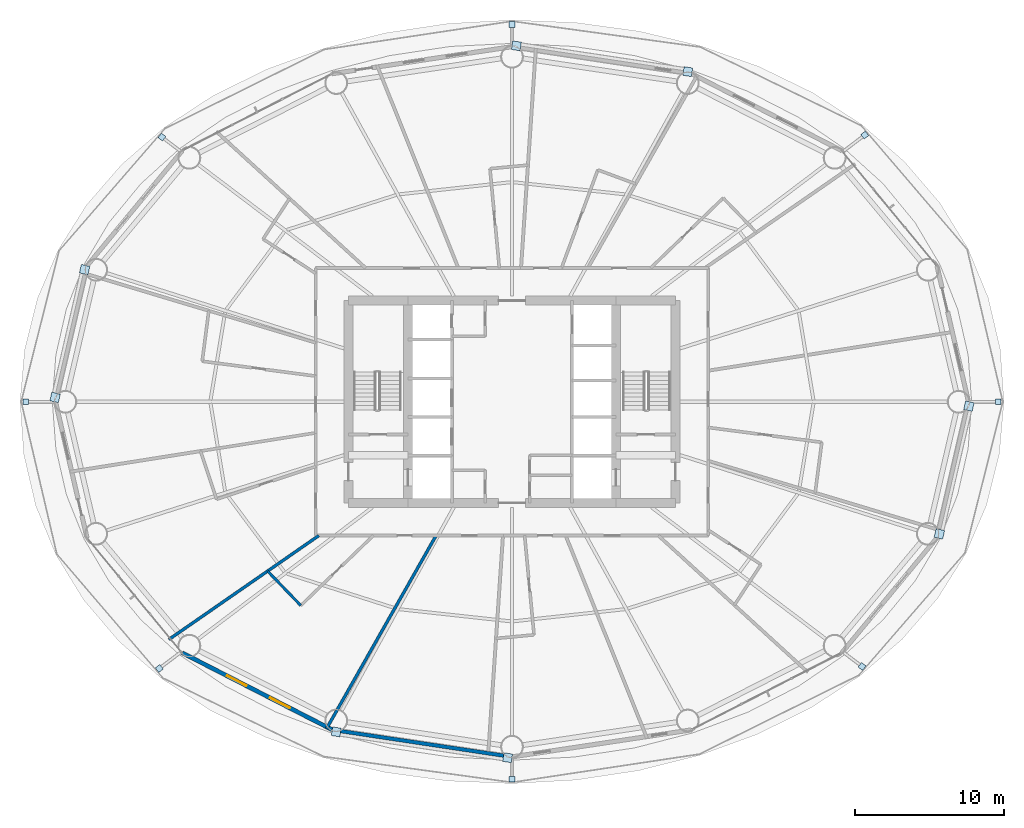
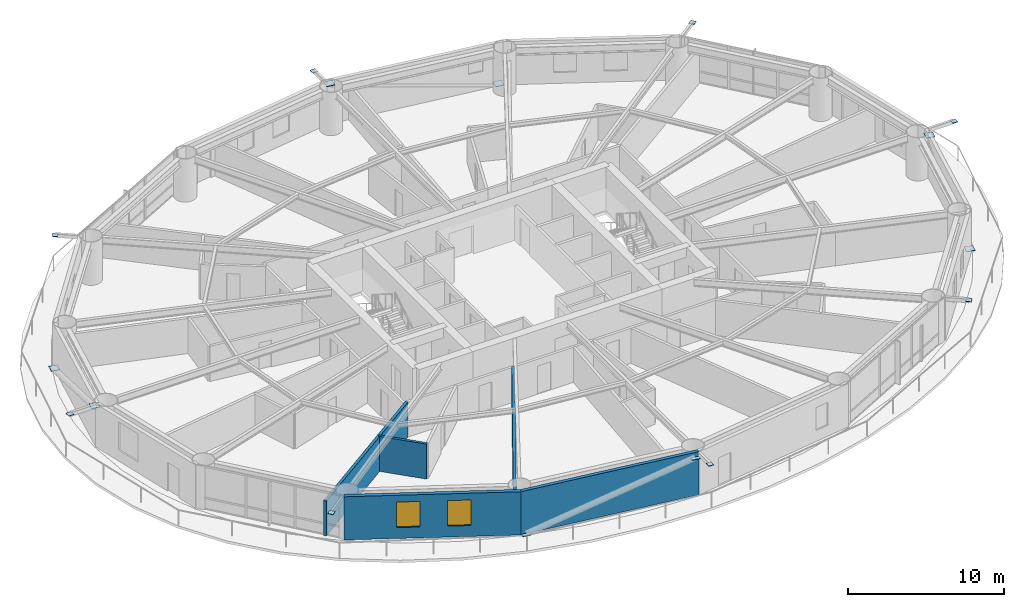
# One storey, part 21 of 28: 16 plates, 5 walls, 2 windows, 2 openings.
"""IFC4 building model written with IfcOpenShell, lengths in metres."""

from ifc_helpers import new_model, si_unit, direction, frame, frame_2d, origin, origin_2d, place, context, subcontext, project, spatial, rectangle, extrude, material, layer, layer_set, type_object, element, fill, save


model = new_model("IFC4")

# Units and contexts
model_context = context("Model", 3, precision=1e-05, world=origin(), true_north=direction((0.0, 1.0)))
body_context = subcontext(model_context, "Body", "Model", "MODEL_VIEW")
ifc_project = project(units=[si_unit("LENGTHUNIT", "METRE"), si_unit("AREAUNIT", "SQUARE_METRE"), si_unit("VOLUMEUNIT", "CUBIC_METRE"), si_unit("PLANEANGLEUNIT", "RADIAN"), si_unit("MASSUNIT", "GRAM", prefix="KILO")], contexts=[model_context])

# Site, building, storey
site_placement = place(None, origin())
site = spatial("IfcSite", under=ifc_project, at=site_placement, CompositionType="ELEMENT")
building_placement = place(site_placement, origin())
building = spatial("IfcBuilding", under=site, at=building_placement, Name="Sarneth Arch Tower", CompositionType="ELEMENT")
storey_placement = place(building_placement, frame((0.0, 0.0, 67.800048828125)))
storey = spatial("IfcBuildingStorey", under=building, at=storey_placement, Name="L16", CompositionType="ELEMENT", Elevation=67.800048828125)

# Plates
ifc_material_1 = material(Name="Steel S355", Category="steel")
ifc_layer_1 = layer(ifc_material_1, 0.035888671875)
ifc_layer_set_1 = layer_set([ifc_layer_1], Name="Steel S355")
plate_type = type_object("IfcPlateType", Name="PLT-GUSSET-30", PredefinedType="SHEET", material=ifc_layer_set_1)
for number, where, z_axis, x_axis, name in (
    (1, (80.7109375, 42.0, 3.2021484375), (0.0, 0.0, 1.0), (1.0, 0.0, 0.0), "Steel end cap plate GP-1"),
    (2, (71.72021484375, 59.934814453125, 3.2021484375), (0.0, 0.0, 1.0), (0.797689196331, 0.603068773902, 0.0), "Steel end cap plate GP-1"),
):
    element("IfcPlate", number, at=place(storey_placement, frame(where, z_axis=z_axis, x_axis=x_axis)), inside=storey, type_object=plate_type, Name=name, PredefinedType="SHEET", context=body_context, shape_type="SweptSolid", body=[
        extrude(rectangle(XDim=0.3798828125, YDim=0.3798828125, at=origin_2d()), origin(), (0.0, 0.0, 1.0), 0.035888671875),
    ])
for number, where, z_axis, x_axis, name in (
    (3, (59.819580078125, 64.19921875, 0.001953125), (0.0, 0.0, 1.0), (-0.98883454203, 0.149017611339, 0.0), "Steel end cap plate GP-1"),
    (4, (48.296630859375, 65.935302734375, 2.98876953125), (0.0, 0.0, 1.0), (-0.98883454203, 0.149017611339, 0.0), "Steel end cap plate GP-1"),
):
    element("IfcPlate", number, at=place(storey_placement, frame(where, z_axis=z_axis, x_axis=x_axis)), inside=storey, type_object=plate_type, Name=name, PredefinedType="SHEET", context=body_context, shape_type="SweptSolid", body=[
        extrude(rectangle(XDim=0.587890625, YDim=0.587890625, at=origin_2d()), origin(), (0.0, 0.0, 1.0), 0.035888671875),
    ])
for number, where, z_axis, x_axis, name in (
    (5, (48.0, 67.373779296875, 3.2021484375), (0.0, 0.0, 1.0), (0.0, 1.0, 0.0), "Steel end cap plate GP-1"),
    (6, (24.458251953125, 59.800048828125, 3.2021484375), (0.0, 0.0, 1.0), (-0.797689196331, 0.603068773902, 0.0), "Steel end cap plate GP-1"),
):
    element("IfcPlate", number, at=place(storey_placement, frame(where, z_axis=z_axis, x_axis=x_axis)), inside=storey, type_object=plate_type, Name=name, PredefinedType="SHEET", context=body_context, shape_type="SweptSolid", body=[
        extrude(rectangle(XDim=0.3798828125, YDim=0.3798828125, at=origin_2d()), origin(), (0.0, 0.0, 1.0), 0.035888671875),
    ])
for number, where, z_axis, x_axis, name in (
    (7, (19.260986328125, 50.884521484375, 0.001953125), (0.0, 0.0, 1.0), (-0.225291159947, -0.974291482694, 0.0), "Steel end cap plate GP-1"),
    (8, (17.274658203125, 42.292236328125, 2.98876953125), (0.0, 0.0, 1.0), (-0.225291159947, -0.974291482694, 0.0), "Steel end cap plate GP-1"),
):
    element("IfcPlate", number, at=place(storey_placement, frame(where, z_axis=z_axis, x_axis=x_axis)), inside=storey, type_object=plate_type, Name=name, PredefinedType="SHEET", context=body_context, shape_type="SweptSolid", body=[
        extrude(rectangle(XDim=0.587890625, YDim=0.587890625, at=origin_2d()), origin(), (0.0, 0.0, 1.0), 0.035888671875),
    ])
for number, where, z_axis, x_axis, name in (
    (9, (15.2890625, 42.0, 3.2021484375), (0.0, 0.0, 1.0), (-1.0, 0.0, 0.0), "Steel end cap plate GP-1"),
    (10, (24.27978515625, 24.065185546875, 3.2021484375), (0.0, 0.0, 1.0), (-0.797689196331, -0.603068773902, 0.0), "Steel end cap plate GP-1"),
):
    element("IfcPlate", number, at=place(storey_placement, frame(where, z_axis=z_axis, x_axis=x_axis)), inside=storey, type_object=plate_type, Name=name, PredefinedType="SHEET", context=body_context, shape_type="SweptSolid", body=[
        extrude(rectangle(XDim=0.3798828125, YDim=0.3798828125, at=origin_2d()), origin(), (0.0, 0.0, 1.0), 0.035888671875),
    ])
for number, where, z_axis, x_axis, name in (
    (11, (36.180419921875, 19.80078125, 0.001953125), (0.0, 0.0, 1.0), (0.98883454203, -0.149017611339, 0.0), "Steel end cap plate GP-1"),
    (12, (47.703369140625, 18.064697265625, 2.98876953125), (0.0, 0.0, 1.0), (0.98883454203, -0.149017611339, 0.0), "Steel end cap plate GP-1"),
):
    element("IfcPlate", number, at=place(storey_placement, frame(where, z_axis=z_axis, x_axis=x_axis)), inside=storey, type_object=plate_type, Name=name, PredefinedType="SHEET", context=body_context, shape_type="SweptSolid", body=[
        extrude(rectangle(XDim=0.587890625, YDim=0.587890625, at=origin_2d()), origin(), (0.0, 0.0, 1.0), 0.035888671875),
    ])
for number, where, z_axis, x_axis, name in (
    (13, (48.0, 16.626220703125, 3.2021484375), (0.0, 0.0, 1.0), (0.0, -1.0, 0.0), "Steel end cap plate GP-1"),
    (14, (71.541748046875, 24.199951171875, 3.2021484375), (0.0, 0.0, 1.0), (0.797689196331, -0.603068773902, 0.0), "Steel end cap plate GP-1"),
):
    element("IfcPlate", number, at=place(storey_placement, frame(where, z_axis=z_axis, x_axis=x_axis)), inside=storey, type_object=plate_type, Name=name, PredefinedType="SHEET", context=body_context, shape_type="SweptSolid", body=[
        extrude(rectangle(XDim=0.3798828125, YDim=0.3798828125, at=origin_2d()), origin(), (0.0, 0.0, 1.0), 0.035888671875),
    ])
for number, where, z_axis, x_axis, name in (
    (15, (76.739013671875, 33.115478515625, 0.001953125), (0.0, 0.0, 1.0), (0.225291159947, 0.974291482694, 0.0), "Steel end cap plate GP-1"),
    (16, (78.725341796875, 41.707763671875, 2.98876953125), (0.0, 0.0, 1.0), (0.225291159947, 0.974291482694, 0.0), "Steel end cap plate GP-1"),
):
    element("IfcPlate", number, at=place(storey_placement, frame(where, z_axis=z_axis, x_axis=x_axis)), inside=storey, type_object=plate_type, Name=name, PredefinedType="SHEET", context=body_context, shape_type="SweptSolid", body=[
        extrude(rectangle(XDim=0.587890625, YDim=0.587890625, at=origin_2d()), origin(), (0.0, 0.0, 1.0), 0.035888671875),
    ])

# Wall
ifc_material_2 = material(Name="Extruded terracotta rainscreen on Concrete C40/50 backing", Category="masonry")
ifc_layer_2 = layer(ifc_material_2, 0.25)
ifc_layer_set_2 = layer_set([ifc_layer_2], Name="Extruded terracotta rainscreen on Concrete C40/50 backing")
wall_type_1 = type_object("IfcWallType", Name="WALL-EXT-SPAND-250", PredefinedType="SOLIDWALL", material=ifc_layer_set_2)
wall_1_placement = place(storey_placement, frame((35.922119140625, 19.937744140625, 0.0), z_axis=(0.0, 0.0, 1.0), x_axis=(0.988864835849, -0.148816452121, 0.0)))
element("IfcWall", 17, at=wall_1_placement, inside=storey, type_object=wall_type_1, Name="L16 Terracotta perimeter wall 12", PredefinedType="SOLIDWALL", context=body_context, shape_type="SweptSolid", body=[
    extrude(rectangle(XDim=12.2138671875, YDim=0.25, at=frame_2d((6.10693359375, 0.0))), origin(), (0.0, 0.0, 1.0), 3.3798828125),
])

# Wall, openings, windows
ifc_material_3 = material(Name="Extruded terracotta rainscreen on Concrete C40/50 backing", Category="masonry")
ifc_layer_3 = layer(ifc_material_3, 0.280029296875)
ifc_layer_set_3 = layer_set([ifc_layer_3], Name="Extruded terracotta rainscreen on Concrete C40/50 backing")
wall_type_2 = type_object("IfcWallType", Name="WALL-EXT-TERRA-280", PredefinedType="SOLIDWALL", material=ifc_layer_set_3)
wall_2_placement = place(storey_placement, frame((25.825927734375, 25.1142578125, 0.0), z_axis=(0.0, 0.0, 1.0), x_axis=(0.889853976658, -0.456245438581, 0.0)))
wall_2 = element("IfcWall", 18, at=wall_2_placement, inside=storey, type_object=wall_type_2, Name="L16 Terracotta perimeter wall 11", PredefinedType="SOLIDWALL", context=body_context, shape_type="SweptSolid", body=[
    extrude(rectangle(XDim=11.345947265625, YDim=0.280029296875, at=frame_2d((5.6728515625, 0.0))), origin(), (0.0, 0.0, 1.0), 3.3798828125),
])
opening_1_placement = place(wall_2_placement, frame((3.3671875, 0.0, 0.85009765625)))
opening_1 = element("IfcOpeningElement", 19, at=opening_1_placement, cuts=wall_2, Name="Opening W-06", PredefinedType="OPENING", context=body_context, shape_type="SweptSolid", body=[
    extrude(rectangle(XDim=1.5, YDim=2.0, at=frame_2d((0.75, 1.0))), frame((0.0, 0.14990234375, 0.0), z_axis=(0.0, -1.0, 0.0), x_axis=(1.0, 0.0, 0.0)), (0.0, 0.0, 1.0), 0.300048828125),
])
opening_2_placement = place(wall_2_placement, frame((6.62890625, 0.0, 0.85009765625)))
opening_2 = element("IfcOpeningElement", 20, at=opening_2_placement, cuts=wall_2, Name="Opening W-06", PredefinedType="OPENING", context=body_context, shape_type="SweptSolid", body=[
    extrude(rectangle(XDim=1.5, YDim=2.0, at=frame_2d((0.75, 1.0))), frame((0.0, 0.14990234375, 0.0), z_axis=(0.0, -1.0, 0.0), x_axis=(1.0, 0.0, 0.0)), (0.0, 0.0, 1.0), 0.300048828125),
])
ifc_material_4 = material(Name="Thermally broken Aluminium 6063-T6 and low-e laminated IGU", Category="aluminium")
window_type = type_object("IfcWindowType", Name="WIN-TWR-1500x2000", PartitioningType="SINGLE_PANEL", PredefinedType="WINDOW", material=ifc_material_4)
window_1_placement = place(opening_1_placement, origin())
window_1 = element("IfcWindow", 21, at=window_1_placement, inside=storey, type_object=window_type, Name="L16 Exterior window 11A", OverallHeight=2.0, OverallWidth=1.5, PartitioningType="SINGLE_PANEL", PredefinedType="WINDOW", context=body_context, shape_type="SweptSolid", body=[
    extrude(rectangle(XDim=1.5, YDim=2.0, at=frame_2d((0.75, 1.0))), frame((0.0, 0.030029296875, 0.0), z_axis=(0.0, -1.0, 0.0), x_axis=(1.0, 0.0, 0.0)), (0.0, 0.0, 1.0), 0.06005859375),
])
fill(opening_1, window_1)
window_2_placement = place(opening_2_placement, origin())
window_2 = element("IfcWindow", 22, at=window_2_placement, inside=storey, type_object=window_type, Name="L16 Exterior window 11B", OverallHeight=2.0, OverallWidth=1.5, PartitioningType="SINGLE_PANEL", PredefinedType="WINDOW", context=body_context, shape_type="SweptSolid", body=[
    extrude(rectangle(XDim=1.5, YDim=2.0, at=frame_2d((0.75, 1.0))), frame((0.0, 0.030029296875, 0.0), z_axis=(0.0, -1.0, 0.0), x_axis=(1.0, 0.0, 0.0)), (0.0, 0.0, 1.0), 0.06005859375),
])
fill(opening_2, window_2)

# Walls
ifc_material_5 = material(Name="Moisture-resistant plumbing chase wall", Category="gypsum")
ifc_layer_4 = layer(ifc_material_5, 0.179931640625)
ifc_layer_set_4 = layer_set([ifc_layer_4], Name="Moisture-resistant plumbing chase wall")
wall_type_3 = type_object("IfcWallType", Name="WALL-PLUMB-180", PredefinedType="PLUMBINGWALL", material=ifc_layer_set_4)
wall_3_placement = place(storey_placement, frame((31.56494140625, 30.61376953125, 0.0), z_axis=(0.0, 0.0, 1.0), x_axis=(0.694278833189, -0.719706121821, 0.0)))
element("IfcWall", 23, at=wall_3_placement, inside=storey, type_object=wall_type_3, Name="L16 Interior partition W-L16-TP-057", PredefinedType="PLUMBINGWALL", context=body_context, shape_type="SweptSolid", body=[
    extrude(rectangle(XDim=3.216552734375, YDim=0.179931640625, at=frame_2d((1.6083984375, 0.0))), origin(), (0.0, 0.0, 1.0), 2.739990234375),
])
ifc_material_6 = material(Name="Double steel-stud acoustic drywall", Category="steel")
ifc_layer_5 = layer(ifc_material_6, 0.199951171875)
ifc_layer_set_5 = layer_set([ifc_layer_5], Name="Double steel-stud acoustic drywall")
wall_type_4 = type_object("IfcWallType", Name="WALL-UNIT-200", PredefinedType="PARTITIONING", material=ifc_layer_set_5)
wall_4_placement = place(storey_placement, frame((42.893310546875, 33.0, 0.0), z_axis=(0.0, 0.0, 1.0), x_axis=(-0.493512300658, -0.869738816599, 0.0)))
element("IfcWall", 24, at=wall_4_placement, inside=storey, type_object=wall_type_4, Name="L16 Interior partition W-L16-TP-059", PredefinedType="PARTITIONING", context=body_context, shape_type="SweptSolid", body=[
    extrude(rectangle(XDim=14.9375, YDim=0.199951171875, at=frame_2d((7.46875, 0.0))), origin(), (0.0, 0.0, 1.0), 2.739990234375),
])
wall_5_placement = place(storey_placement, frame((35.00927734375, 33.0, 0.0), z_axis=(0.0, 0.0, 1.0), x_axis=(-0.821999402566, -0.569488351226, 0.0)))
element("IfcWall", 25, at=wall_5_placement, inside=storey, type_object=wall_type_4, Name="L16 Interior partition W-L16-TP-055", PredefinedType="PARTITIONING", context=body_context, shape_type="SweptSolid", body=[
    extrude(rectangle(XDim=12.266357421875, YDim=0.199951171875, at=frame_2d((6.13330078125, 0.0))), origin(), (0.0, 0.0, 1.0), 2.739990234375),
])

save(model, "model.ifc")
